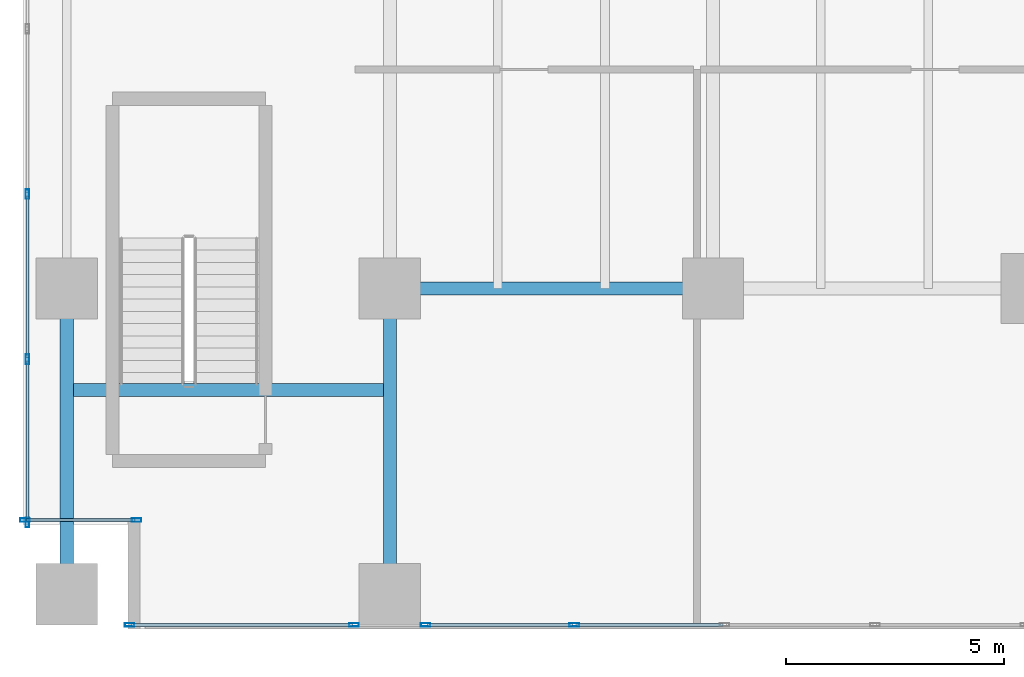
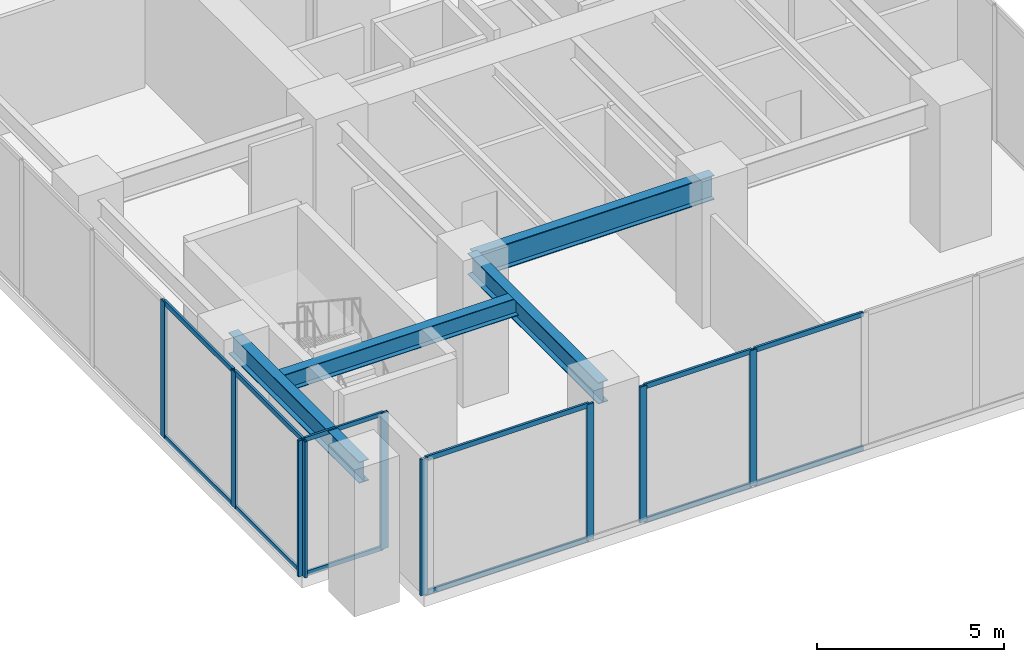
# One storey, part 2 of 32: 21 members, 4 beams, 4 elements without a shape of their own.
"""IFC4 building model written with IfcOpenShell, lengths in metres."""

from ifc_helpers import new_model, si_unit, direction, frame, origin, origin_2d, place, context, subcontext, project, spatial, hollow_rectangle, i_section, extrude, source, transform, mapped, material, layer, layer_set, material_profile, profile_set, type_object, type_shapes, element, aggregate, save


model = new_model("IFC4")

# Units and contexts
model_context = context("Model", 3, precision=1e-05, world=origin(), true_north=direction((0.0, 1.0)))
body_context = subcontext(model_context, "Body", "Model", "MODEL_VIEW")
ifc_project = project(units=[si_unit("LENGTHUNIT", "METRE"), si_unit("AREAUNIT", "SQUARE_METRE"), si_unit("VOLUMEUNIT", "CUBIC_METRE"), si_unit("PLANEANGLEUNIT", "RADIAN"), si_unit("MASSUNIT", "GRAM", prefix="KILO")], contexts=[model_context])

# Site, building, storey
site_placement = place(None, origin())
site = spatial("IfcSite", under=ifc_project, at=site_placement, CompositionType="ELEMENT")
building_placement = place(site_placement, origin())
building = spatial("IfcBuilding", under=site, at=building_placement, Name="Haelvirn Gate Laboratories", CompositionType="ELEMENT")
storey_placement = place(building_placement, frame((0.0, 0.0, 5.39990234375)))
storey = spatial("IfcBuildingStorey", under=building, at=storey_placement, Name="L02", CompositionType="ELEMENT", Elevation=5.39990234375)

# Beams
ifc_material_1 = material(Name="Steel SM420", Category="steel")
ifc_material_profile_1 = material_profile(ifc_material_1, i_section(OverallWidth=0.300048828125, OverallDepth=0.800048828125, WebThickness=0.013916015625, FlangeThickness=0.02587890625, at=origin_2d()), Name="H-800x300x14x26")
ifc_profile_set_1 = profile_set([ifc_material_profile_1], Name="Steel SM420")
beam_type_1 = type_object("IfcBeamType", Name="BM-G-800", PredefinedType="BEAM", material=ifc_profile_set_1)
shared_shape_1 = source(origin(), body_context, "Body", "SweptSolid", [
    extrude(i_section(OverallWidth=0.300048828125, OverallDepth=0.800048828125, WebThickness=0.013916015625, FlangeThickness=0.02587890625, at=origin_2d()), origin(), (0.0, 0.0, 1.0), 7.400146484375),
])
type_shapes(beam_type_1, [shared_shape_1])
beam_1_placement = place(storey_placement, frame((7.39990234375, 7.0, 4.050048828125), z_axis=(1.0, 0.0, 0.0), x_axis=(0.0, 1.0, 0.0)))
element("IfcBeam", 1, at=beam_1_placement, inside=storey, type_object=beam_type_1, Name="L02 Primary Girder Y7.0 (7.4-14.8)", PredefinedType="BEAM", context=body_context, shape_type="MappedRepresentation", body=[
    mapped(shared_shape_1, transform((0.0, 0.0, 0.0), scale=1.0)),
])
ifc_material_2 = material(Name="Steel SM355", Category="steel")
ifc_material_profile_2 = material_profile(ifc_material_2, i_section(OverallWidth=0.300048828125, OverallDepth=0.699951171875, WebThickness=0.012939453125, FlangeThickness=0.02392578125, at=origin_2d()), Name="H-700x300x13x24")
ifc_profile_set_2 = profile_set([ifc_material_profile_2], Name="Steel SM355")
beam_type_2 = type_object("IfcBeamType", Name="BM-G-700", PredefinedType="BEAM", material=ifc_profile_set_2)
shared_shape_2 = source(origin(), body_context, "Body", "SweptSolid", [
    extrude(i_section(OverallWidth=0.300048828125, OverallDepth=0.699951171875, WebThickness=0.012939453125, FlangeThickness=0.02392578125, at=origin_2d()), origin(), (0.0, 0.0, 1.0), 7.0),
])
type_shapes(beam_type_2, [shared_shape_2])
for number, where, z_axis, x_axis, name in (
    (2, (0.0, 0.0, 4.10009765625), (0.0, 1.0, 0.0), (-1.0, 0.0, 0.0), "L02 Stair ST3 West Trimmer Girder"),
    (3, (7.39990234375, 0.0, 4.10009765625), (0.0, 1.0, 0.0), (-1.0, 0.0, 0.0), "L02 Stair ST3 East Trimmer Girder"),
):
    element("IfcBeam", number, at=place(storey_placement, frame(where, z_axis=z_axis, x_axis=x_axis)), inside=storey, type_object=beam_type_2, Name=name, PredefinedType="BEAM", context=body_context, shape_type="MappedRepresentation", body=[
        mapped(shared_shape_2, transform((0.0, 0.0, 0.0), scale=1.0)),
    ])
ifc_material_profile_3 = material_profile(ifc_material_2, i_section(OverallWidth=0.300048828125, OverallDepth=0.587890625, WebThickness=0.011962890625, FlangeThickness=0.02001953125, at=origin_2d()), Name="H-588x300x12x20")
ifc_profile_set_3 = profile_set([ifc_material_profile_3], Name="Steel SM355")
beam_type_3 = type_object("IfcBeamType", Name="BM-G-588", PredefinedType="BEAM", material=ifc_profile_set_3)
shared_shape_3 = source(origin(), body_context, "Body", "SweptSolid", [
    extrude(i_section(OverallWidth=0.300048828125, OverallDepth=0.587890625, WebThickness=0.011962890625, FlangeThickness=0.02001953125, at=origin_2d()), origin(), (0.0, 0.0, 1.0), 7.39990234375),
])
type_shapes(beam_type_3, [shared_shape_3])
beam_2_placement = place(storey_placement, frame((0.0, 4.679931640625, 4.156005859375), z_axis=(1.0, 0.0, 0.0), x_axis=(0.0, 1.0, 0.0)))
element("IfcBeam", 4, at=beam_2_placement, inside=storey, type_object=beam_type_3, Name="L02 Stair ST3 Landing Header", PredefinedType="BEAM", context=body_context, shape_type="MappedRepresentation", body=[
    mapped(shared_shape_3, transform((0.0, 0.0, 0.0), scale=1.0)),
])

# Curtain wall, members
ifc_material_3 = material(Name="Anodised bronze unitised aluminium & triple low-E glass", Category="aluminium")
ifc_layer_1 = layer(ifc_material_3, 0.18798828125, Name="CW-SYS-1")
ifc_layer_set_1 = layer_set([ifc_layer_1], Name="Anodised bronze unitised aluminium & triple low-E glass")
curtain_wall_type_1 = type_object("IfcCurtainWallType", Name="CW-SYS-1", PredefinedType="NOTDEFINED", material=ifc_layer_set_1)
curtain_wall_1_placement = place(storey_placement, origin())
curtain_wall_1 = element("IfcCurtainWall", 5, at=curtain_wall_1_placement, inside=storey, type_object=curtain_wall_type_1, Name="L02 Unitised Curtain Wall CW-L02-P0-E00-1-S1", PredefinedType="NOTDEFINED")
ifc_material_4 = material(Name="Extruded aluminium 6063-T6 (anodised bronze)", Category="aluminium")
ifc_material_profile_4 = material_profile(ifc_material_4, hollow_rectangle(XDim=0.080078125, YDim=0.219970703125, WallThickness=0.006103515625, at=origin_2d()), Name="CWM-220x80x6")
ifc_profile_set_4 = profile_set([ifc_material_profile_4], Name="Extruded aluminium 6063-T6 (anodised bronze)")
member_type_1 = type_object("IfcMemberType", Name="CWM-T220", PredefinedType="MULLION", material=ifc_profile_set_4)
shared_shape_4 = source(origin(), body_context, "Body", "SweptSolid", [
    extrude(hollow_rectangle(XDim=0.080078125, YDim=0.219970703125, WallThickness=0.006103515625, at=origin_2d()), origin(), (0.0, 0.0, 1.0), 4.4501953125),
])
type_shapes(member_type_1, [shared_shape_4])
member_1_placement = place(storey_placement, frame((1.43994140625, -0.699951171875, 0.0), z_axis=(0.0, 0.0, 1.0), x_axis=(0.0, 1.0, 0.0)))
member_1 = element("IfcMember", 6, at=member_1_placement, type_object=member_type_1, Name="CW1 mullion 1", PredefinedType="MULLION", context=body_context, shape_type="MappedRepresentation", body=[
    mapped(shared_shape_4, transform((0.0, 0.0, 0.0), scale=1.0)),
])
member_2_placement = place(storey_placement, frame((6.580078125, -0.699951171875, 0.0), z_axis=(0.0, 0.0, 1.0), x_axis=(0.0, 1.0, 0.0)))
member_2 = element("IfcMember", 7, at=member_2_placement, type_object=member_type_1, Name="CW1 mullion 2", PredefinedType="MULLION", context=body_context, shape_type="MappedRepresentation", body=[
    mapped(shared_shape_4, transform((0.0, 0.0, 0.0), scale=1.0)),
])

curtain_wall_2_placement = place(storey_placement, origin())
curtain_wall_2 = element("IfcCurtainWall", 8, at=curtain_wall_2_placement, inside=storey, type_object=curtain_wall_type_1, Name="L02 Unitised Curtain Wall CW-L02-P0-E00-1-S2", PredefinedType="NOTDEFINED")
member_3_placement = place(storey_placement, frame((8.219970703125, -0.699951171875, 0.0), z_axis=(0.0, 0.0, 1.0), x_axis=(0.0, 1.0, 0.0)))
member_3 = element("IfcMember", 9, at=member_3_placement, type_object=member_type_1, Name="CW1 mullion 1", PredefinedType="MULLION", context=body_context, shape_type="MappedRepresentation", body=[
    mapped(shared_shape_4, transform((0.0, 0.0, 0.0), scale=1.0)),
])
member_4_placement = place(storey_placement, frame((11.6240234375, -0.699951171875, 0.0), z_axis=(0.0, 0.0, 1.0), x_axis=(0.0, 1.0, 0.0)))
member_4 = element("IfcMember", 10, at=member_4_placement, type_object=member_type_1, Name="CW1 mullion 2", PredefinedType="MULLION", context=body_context, shape_type="MappedRepresentation", body=[
    mapped(shared_shape_4, transform((0.0, 0.0, 0.0), scale=1.0)),
])

curtain_wall_3_placement = place(storey_placement, origin())
curtain_wall_3 = element("IfcCurtainWall", 11, at=curtain_wall_3_placement, inside=storey, type_object=curtain_wall_type_1, Name="L02 Unitised Curtain Wall CW-L02-P0-E05", PredefinedType="NOTDEFINED")
member_5_placement = place(storey_placement, frame((-0.89990234375, 9.166748046875, 0.0), z_axis=(0.0, 0.0, 1.0), x_axis=(1.0, 0.0, 0.0)))
member_5 = element("IfcMember", 12, at=member_5_placement, type_object=member_type_1, Name="CW1 mullion 11", PredefinedType="MULLION", context=body_context, shape_type="MappedRepresentation", body=[
    mapped(shared_shape_4, transform((0.0, 0.0, 0.0), scale=1.0)),
])
member_6_placement = place(storey_placement, frame((-0.89990234375, 5.38330078125, 0.0), z_axis=(0.0, 0.0, 1.0), x_axis=(1.0, 0.0, 0.0)))
member_6 = element("IfcMember", 13, at=member_6_placement, type_object=member_type_1, Name="CW1 mullion 12", PredefinedType="MULLION", context=body_context, shape_type="MappedRepresentation", body=[
    mapped(shared_shape_4, transform((0.0, 0.0, 0.0), scale=1.0)),
])
member_7_placement = place(storey_placement, frame((-0.89990234375, 1.639892578125, 0.0), z_axis=(0.0, 0.0, 1.0), x_axis=(1.0, 0.0, 0.0)))
member_7 = element("IfcMember", 14, at=member_7_placement, type_object=member_type_1, Name="CW1 mullion 13", PredefinedType="MULLION", context=body_context, shape_type="MappedRepresentation", body=[
    mapped(shared_shape_4, transform((0.0, 0.0, 0.0), scale=1.0)),
])

ifc_layer_2 = layer(ifc_material_3, 0.181884765625, Name="CW-SYS-5")
ifc_layer_set_2 = layer_set([ifc_layer_2], Name="Anodised bronze unitised aluminium & triple low-E glass")
curtain_wall_type_2 = type_object("IfcCurtainWallType", Name="CW-SYS-5", PredefinedType="NOTDEFINED", material=ifc_layer_set_2)
curtain_wall_4_placement = place(storey_placement, origin())
curtain_wall_4 = element("IfcCurtainWall", 15, at=curtain_wall_4_placement, inside=storey, type_object=curtain_wall_type_2, Name="L02 Unitised Curtain Wall CW-L02-P0-E06-1", PredefinedType="NOTDEFINED")
member_8_placement = place(storey_placement, frame((-0.9599609375, 1.699951171875, 0.0), z_axis=(0.0, 0.0, 1.0), x_axis=(0.0, 1.0, 0.0)))
member_8 = element("IfcMember", 16, at=member_8_placement, type_object=member_type_1, Name="CW5 mullion 1", PredefinedType="MULLION", context=body_context, shape_type="MappedRepresentation", body=[
    mapped(shared_shape_4, transform((0.0, 0.0, 0.0), scale=1.0)),
])
member_9_placement = place(storey_placement, frame((1.60009765625, 1.699951171875, 0.0), z_axis=(0.0, 0.0, 1.0), x_axis=(0.0, 1.0, 0.0)))
member_9 = element("IfcMember", 17, at=member_9_placement, type_object=member_type_1, Name="CW5 mullion 2", PredefinedType="MULLION", context=body_context, shape_type="MappedRepresentation", body=[
    mapped(shared_shape_4, transform((0.0, 0.0, 0.0), scale=1.0)),
])

# Member
ifc_material_profile_5 = material_profile(ifc_material_4, hollow_rectangle(XDim=0.070068359375, YDim=0.159912109375, WallThickness=0.0048828125, at=origin_2d()), Name="CWT-160x70x5")
ifc_profile_set_5 = profile_set([ifc_material_profile_5], Name="Extruded aluminium 6063-T6 (anodised bronze)")
member_type_2 = type_object("IfcMemberType", Name="CWT-T160", PredefinedType="USERDEFINED", material=ifc_profile_set_5)
shared_shape_5 = source(origin(), body_context, "Body", "SweptSolid", [
    extrude(hollow_rectangle(XDim=0.070068359375, YDim=0.159912109375, WallThickness=0.0048828125, at=origin_2d()), origin(), (0.0, 0.0, 1.0), 5.06005859375),
])
member_10_placement = place(storey_placement, frame((1.47998046875, -0.699951171875, 0.03515625), z_axis=(1.0, 0.0, 0.0), x_axis=(0.0, 1.0, 0.0)))
member_10 = element("IfcMember", 18, at=member_10_placement, type_object=member_type_2, Name="CW1 transom 1.1", ObjectType="TRANSOM", PredefinedType="USERDEFINED", context=body_context, shape_type="MappedRepresentation", body=[
    mapped(shared_shape_5, transform((0.0, 0.0, 0.0), scale=1.0)),
])

member_11_placement = place(storey_placement, frame((1.47998046875, -0.699951171875, 4.4150390625), z_axis=(1.0, 0.0, 0.0), x_axis=(0.0, 1.0, 0.0)))
member_11 = element("IfcMember", 19, at=member_11_placement, type_object=member_type_2, Name="CW1 transom 1.2", ObjectType="TRANSOM", PredefinedType="USERDEFINED", context=body_context, shape_type="MappedRepresentation", body=[
    mapped(shared_shape_5, transform((0.0, 0.0, 0.0), scale=1.0)),
])

aggregate(curtain_wall_1, [member_1, member_2, member_10, member_11])

shared_shape_6 = source(origin(), body_context, "Body", "SweptSolid", [
    extrude(hollow_rectangle(XDim=0.070068359375, YDim=0.159912109375, WallThickness=0.0048828125, at=origin_2d()), origin(), (0.0, 0.0, 1.0), 3.323974609375),
])
member_12_placement = place(storey_placement, frame((8.260009765625, -0.699951171875, 0.03515625), z_axis=(1.0, 0.0, 0.0), x_axis=(0.0, 1.0, 0.0)))
member_12 = element("IfcMember", 20, at=member_12_placement, type_object=member_type_2, Name="CW1 transom 1.1", ObjectType="TRANSOM", PredefinedType="USERDEFINED", context=body_context, shape_type="MappedRepresentation", body=[
    mapped(shared_shape_6, transform((0.0, 0.0, 0.0), scale=1.0)),
])

member_13_placement = place(storey_placement, frame((8.260009765625, -0.699951171875, 4.4150390625), z_axis=(1.0, 0.0, 0.0), x_axis=(0.0, 1.0, 0.0)))
member_13 = element("IfcMember", 21, at=member_13_placement, type_object=member_type_2, Name="CW1 transom 1.2", ObjectType="TRANSOM", PredefinedType="USERDEFINED", context=body_context, shape_type="MappedRepresentation", body=[
    mapped(shared_shape_6, transform((0.0, 0.0, 0.0), scale=1.0)),
])

shared_shape_7 = source(origin(), body_context, "Body", "SweptSolid", [
    extrude(hollow_rectangle(XDim=0.070068359375, YDim=0.159912109375, WallThickness=0.0048828125, at=origin_2d()), origin(), (0.0, 0.0, 1.0), 3.364013671875),
])
member_14_placement = place(storey_placement, frame((11.6640625, -0.699951171875, 0.03515625), z_axis=(1.0, 0.0, 0.0), x_axis=(0.0, 1.0, 0.0)))
member_14 = element("IfcMember", 22, at=member_14_placement, type_object=member_type_2, Name="CW1 transom 2.1", ObjectType="TRANSOM", PredefinedType="USERDEFINED", context=body_context, shape_type="MappedRepresentation", body=[
    mapped(shared_shape_7, transform((0.0, 0.0, 0.0), scale=1.0)),
])

member_15_placement = place(storey_placement, frame((11.6640625, -0.699951171875, 4.4150390625), z_axis=(1.0, 0.0, 0.0), x_axis=(0.0, 1.0, 0.0)))
member_15 = element("IfcMember", 23, at=member_15_placement, type_object=member_type_2, Name="CW1 transom 2.2", ObjectType="TRANSOM", PredefinedType="USERDEFINED", context=body_context, shape_type="MappedRepresentation", body=[
    mapped(shared_shape_7, transform((0.0, 0.0, 0.0), scale=1.0)),
])

aggregate(curtain_wall_2, [member_3, member_4, member_12, member_13, member_14, member_15])

ifc_material_profile_6 = material_profile(ifc_material_4, hollow_rectangle(XDim=0.06494140625, YDim=0.139892578125, WallThickness=0.00390625, at=origin_2d()), Name="CWT-140x65x4")
ifc_profile_set_6 = profile_set([ifc_material_profile_6], Name="Extruded aluminium 6063-T6 (anodised bronze)")
member_type_3 = type_object("IfcMemberType", Name="CWT-T140", PredefinedType="USERDEFINED", material=ifc_profile_set_6)
shared_shape_8 = source(origin(), body_context, "Body", "SweptSolid", [
    extrude(hollow_rectangle(XDim=0.06494140625, YDim=0.139892578125, WallThickness=0.00390625, at=origin_2d()), origin(), (0.0, 0.0, 1.0), 2.47998046875),
])
type_shapes(member_type_3, [shared_shape_8])
member_16_placement = place(storey_placement, frame((-0.919921875, 1.699951171875, 0.03271484375), z_axis=(1.0, 0.0, 0.0), x_axis=(0.0, 1.0, 0.0)))
member_16 = element("IfcMember", 24, at=member_16_placement, type_object=member_type_3, Name="CW5 transom 1.1", ObjectType="TRANSOM", PredefinedType="USERDEFINED", context=body_context, shape_type="MappedRepresentation", body=[
    mapped(shared_shape_8, transform((0.0, 0.0, 0.0), scale=1.0)),
])

member_17_placement = place(storey_placement, frame((-0.919921875, 1.699951171875, 4.41748046875), z_axis=(1.0, 0.0, 0.0), x_axis=(0.0, 1.0, 0.0)))
member_17 = element("IfcMember", 25, at=member_17_placement, type_object=member_type_3, Name="CW5 transom 1.2", ObjectType="TRANSOM", PredefinedType="USERDEFINED", context=body_context, shape_type="MappedRepresentation", body=[
    mapped(shared_shape_8, transform((0.0, 0.0, 0.0), scale=1.0)),
])

aggregate(curtain_wall_4, [member_8, member_9, member_16, member_17])

shared_shape_9 = source(origin(), body_context, "Body", "SweptSolid", [
    extrude(hollow_rectangle(XDim=0.070068359375, YDim=0.159912109375, WallThickness=0.0048828125, at=origin_2d()), origin(), (0.0, 0.0, 1.0), 3.663330078125),
])
member_18_placement = place(storey_placement, frame((-0.89990234375, 5.34326171875, 0.03515625), z_axis=(0.0, -1.0, 0.0), x_axis=(1.0, 0.0, 0.0)))
member_18 = element("IfcMember", 26, at=member_18_placement, type_object=member_type_2, Name="CW1 transom 12.1", ObjectType="TRANSOM", PredefinedType="USERDEFINED", context=body_context, shape_type="MappedRepresentation", body=[
    mapped(shared_shape_9, transform((0.0, 0.0, 0.0), scale=1.0)),
])

member_19_placement = place(storey_placement, frame((-0.89990234375, 5.34326171875, 4.4150390625), z_axis=(0.0, -1.0, 0.0), x_axis=(1.0, 0.0, 0.0)))
member_19 = element("IfcMember", 27, at=member_19_placement, type_object=member_type_2, Name="CW1 transom 12.2", ObjectType="TRANSOM", PredefinedType="USERDEFINED", context=body_context, shape_type="MappedRepresentation", body=[
    mapped(shared_shape_9, transform((0.0, 0.0, 0.0), scale=1.0)),
])

shared_shape_10 = source(origin(), body_context, "Body", "SweptSolid", [
    extrude(hollow_rectangle(XDim=0.070068359375, YDim=0.159912109375, WallThickness=0.0048828125, at=origin_2d()), origin(), (0.0, 0.0, 1.0), 3.703369140625),
])
type_shapes(member_type_2, [shared_shape_5, shared_shape_6, shared_shape_7, shared_shape_9, shared_shape_10])
member_20_placement = place(storey_placement, frame((-0.89990234375, 9.126708984375, 0.03515625), z_axis=(0.0, -1.0, 0.0), x_axis=(1.0, 0.0, 0.0)))
member_20 = element("IfcMember", 28, at=member_20_placement, type_object=member_type_2, Name="CW1 transom 11.1", ObjectType="TRANSOM", PredefinedType="USERDEFINED", context=body_context, shape_type="MappedRepresentation", body=[
    mapped(shared_shape_10, transform((0.0, 0.0, 0.0), scale=1.0)),
])

member_21_placement = place(storey_placement, frame((-0.89990234375, 9.126708984375, 4.4150390625), z_axis=(0.0, -1.0, 0.0), x_axis=(1.0, 0.0, 0.0)))
member_21 = element("IfcMember", 29, at=member_21_placement, type_object=member_type_2, Name="CW1 transom 11.2", ObjectType="TRANSOM", PredefinedType="USERDEFINED", context=body_context, shape_type="MappedRepresentation", body=[
    mapped(shared_shape_10, transform((0.0, 0.0, 0.0), scale=1.0)),
])

aggregate(curtain_wall_3, [member_5, member_6, member_7, member_20, member_21, member_18, member_19])

save(model, "model.ifc")
